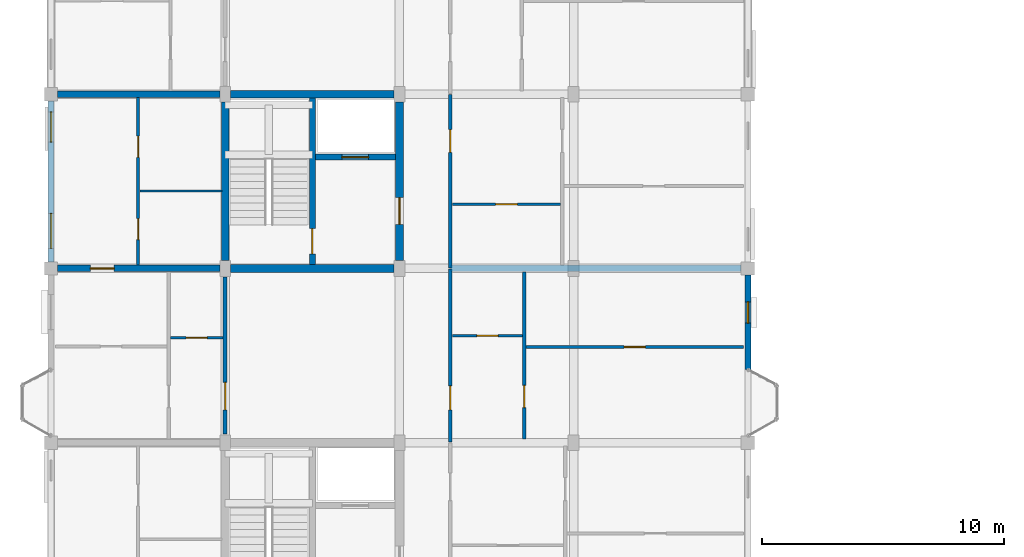
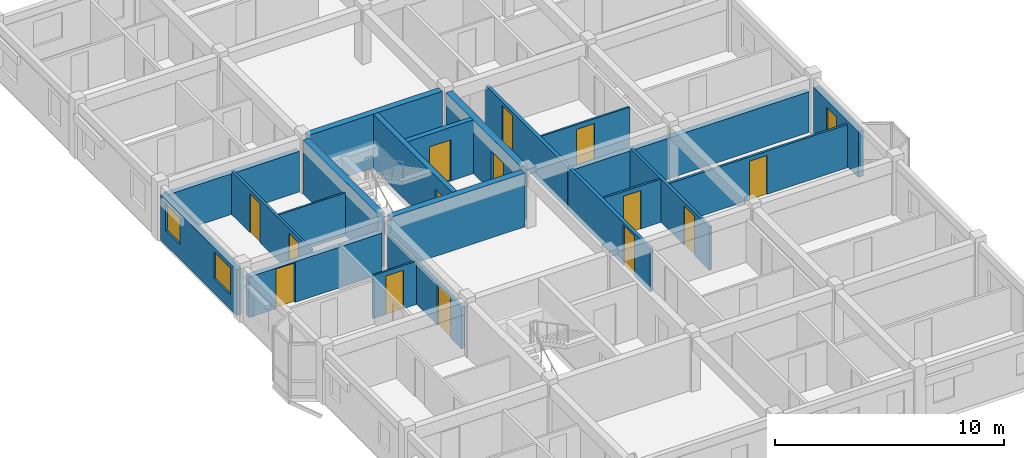
# One storey, part 52 of 77: 21 walls, 14 doors, 3 windows, 17 openings.
"""IFC4 building model written with IfcOpenShell, lengths in metres."""

from ifc_helpers import new_model, si_unit, direction, frame, frame_2d, origin, place, context, subcontext, project, spatial, rectangle, extrude, material, layer, layer_set, type_object, element, fill, save


model = new_model("IFC4")

# Units and contexts
model_context = context("Model", 3, precision=1e-05, world=origin(), true_north=direction((0.0, 1.0)))
body_context = subcontext(model_context, "Body", "Model", "MODEL_VIEW")
ifc_project = project(units=[si_unit("LENGTHUNIT", "METRE"), si_unit("AREAUNIT", "SQUARE_METRE"), si_unit("VOLUMEUNIT", "CUBIC_METRE"), si_unit("PLANEANGLEUNIT", "RADIAN"), si_unit("MASSUNIT", "GRAM", prefix="KILO"), si_unit("THERMODYNAMICTEMPERATUREUNIT", "KELVIN"), si_unit("POWERUNIT", "WATT")], contexts=[model_context])

# Site, building, storey
site_placement = place(None, origin())
site = spatial("IfcSite", under=ifc_project, at=site_placement, CompositionType="ELEMENT")
building_placement = place(site_placement, origin())
building = spatial("IfcBuilding", under=site, at=building_placement, Name="Tavuni Mirador Residences", CompositionType="ELEMENT")
storey_placement = place(building_placement, frame((0.0, 0.0, 10.800048828125)))
storey = spatial("IfcBuildingStorey", under=building, at=storey_placement, Name="L03", CompositionType="ELEMENT", Elevation=10.800048828125)

# Wall, opening, door
ifc_material_1 = material(Name="Precast concrete C40/50", Category="concrete")
ifc_layer_1 = layer(ifc_material_1, 0.25, Name="Precast concrete C40/50", Category="concrete")
ifc_layer_set_1 = layer_set([ifc_layer_1], Name="Precast concrete C40/50")
wall_type_1 = type_object("IfcWallType", Name="WT-COR250", PredefinedType="SHEAR", material=ifc_layer_set_1)
wall_1_placement = place(storey_placement, frame((14.39990234375, 28.9599609375, 0.0), z_axis=(0.0, 0.0, 1.0), x_axis=(0.0, 1.0, 0.0)))
wall_1 = element("IfcWall", 1, at=wall_1_placement, inside=storey, type_object=wall_type_1, Name="CWALL-C2-L03-MID", PredefinedType="SHEAR", context=body_context, shape_type="SweptSolid", body=[
    extrude(rectangle(XDim=6.880126953125, YDim=0.25, at=frame_2d((3.43994140625, 0.0))), origin(), (0.0, 0.0, 1.0), 2.869873046875),
])
opening_1_placement = place(wall_1_placement, frame((0.43994140625, 0.0, 0.0)))
opening_1 = element("IfcOpeningElement", 2, at=opening_1_placement, cuts=wall_1, Name="Opening D-01", PredefinedType="OPENING", context=body_context, shape_type="SweptSolid", body=[
    extrude(rectangle(XDim=1.050048828125, YDim=2.14990234375, at=frame_2d((0.52490234375, 1.074951171875))), frame((0.0, 0.135009765625, 0.0), z_axis=(0.0, -1.0, 0.0), x_axis=(1.0, 0.0, 0.0)), (0.0, 0.0, 1.0), 0.27001953125),
])
ifc_material_2 = material(Name="Solid core iroko timber", Category="wood")
door_type_1 = type_object("IfcDoorType", Name="DT-ST1050", OperationType="NOTDEFINED", PredefinedType="DOOR", material=ifc_material_2)
door_1_placement = place(opening_1_placement, origin())
door_1 = element("IfcDoor", 3, at=door_1_placement, inside=storey, type_object=door_type_1, Name="DR-2069", OperationType="SINGLE_SWING_LEFT", OverallHeight=2.14990234375, OverallWidth=1.050048828125, PredefinedType="DOOR", context=body_context, shape_type="SweptSolid", body=[
    extrude(rectangle(XDim=1.050048828125, YDim=2.14990234375, at=frame_2d((0.52490234375, 1.074951171875))), frame((0.0, 0.02490234375, 0.0), z_axis=(0.0, -1.0, 0.0), x_axis=(1.0, 0.0, 0.0)), (0.0, 0.0, 1.0), 0.050048828125),
])
fill(opening_1, door_1)

wall_2_placement = place(storey_placement, frame((14.52490234375, 33.39990234375, 0.0), z_axis=(0.0, 0.0, 1.0), x_axis=(1.0, 0.0, 0.0)))
wall_2 = element("IfcWall", 4, at=wall_2_placement, inside=storey, type_object=wall_type_1, Name="CWALL-C2-L03-SHF", PredefinedType="SHEAR", context=body_context, shape_type="SweptSolid", body=[
    extrude(rectangle(XDim=3.315185546875, YDim=0.25, at=frame_2d((1.65771484375, 0.0))), origin(), (0.0, 0.0, 1.0), 2.869873046875),
])
opening_2_placement = place(wall_2_placement, frame((1.10009765625, 0.0, 0.0)))
opening_2 = element("IfcOpeningElement", 5, at=opening_2_placement, cuts=wall_2, Name="Opening LD-01", PredefinedType="OPENING", context=body_context, shape_type="SweptSolid", body=[
    extrude(rectangle(XDim=1.10009765625, YDim=2.199951171875, at=frame_2d((0.550048828125, 1.10009765625))), frame((0.0, 0.135009765625, 0.0), z_axis=(0.0, -1.0, 0.0), x_axis=(1.0, 0.0, 0.0)), (0.0, 0.0, 1.0), 0.27001953125),
])
ifc_material_3 = material(Name="Structural steel S355", Category="steel")
door_type_2 = type_object("IfcDoorType", Name="DT-LD-FF", OperationType="SLIDING_TO_LEFT", PredefinedType="DOOR", material=ifc_material_3)
door_2_placement = place(opening_2_placement, origin())
door_2 = element("IfcDoor", 6, at=door_2_placement, inside=storey, type_object=door_type_2, Name="Lift landing door FL-A2 L03", OperationType="SLIDING_TO_LEFT", OverallHeight=2.199951171875, OverallWidth=1.10009765625, PredefinedType="DOOR", context=body_context, shape_type="SweptSolid", body=[
    extrude(rectangle(XDim=1.10009765625, YDim=2.199951171875, at=frame_2d((0.550048828125, 1.10009765625))), frame((0.0, 0.02490234375, 0.0), z_axis=(0.0, -1.0, 0.0), x_axis=(1.0, 0.0, 0.0)), (0.0, 0.0, 1.0), 0.050048828125),
])
fill(opening_2, door_2)

# Walls
ifc_layer_2 = layer(ifc_material_1, 0.320068359375, Name="Precast concrete C40/50", Category="concrete")
ifc_layer_set_2 = layer_set([ifc_layer_2], Name="Precast concrete C40/50")
wall_type_2 = type_object("IfcWallType", Name="WT-COR320", PredefinedType="SHEAR", material=ifc_layer_set_2)
wall_3_placement = place(storey_placement, frame((10.800048828125, 29.125, 0.0), z_axis=(0.0, 0.0, 1.0), x_axis=(0.0, 1.0, 0.0)))
element("IfcWall", 7, at=wall_3_placement, inside=storey, type_object=wall_type_2, Name="CWALL-C2-L03-W", PredefinedType="SHEAR", context=body_context, shape_type="SweptSolid", body=[
    extrude(rectangle(XDim=6.550048828125, YDim=0.320068359375, at=frame_2d((3.27490234375, 0.0))), origin(), (0.0, 0.0, 1.0), 2.869873046875),
])
wall_4_placement = place(storey_placement, frame((11.02490234375, 36.0, 0.0), z_axis=(0.0, 0.0, 1.0), x_axis=(1.0, 0.0, 0.0)))
element("IfcWall", 8, at=wall_4_placement, inside=storey, type_object=wall_type_2, Name="CWALL-C2-L03-N", PredefinedType="SHEAR", context=body_context, shape_type="SweptSolid", body=[
    extrude(rectangle(XDim=6.75, YDim=0.320068359375, at=frame_2d((3.375, 0.0))), origin(), (0.0, 0.0, 1.0), 2.869873046875),
])

# Wall, opening, door
wall_5_placement = place(storey_placement, frame((18.0, 29.125, 0.0), z_axis=(0.0, 0.0, 1.0), x_axis=(0.0, 1.0, 0.0)))
wall_5 = element("IfcWall", 9, at=wall_5_placement, inside=storey, type_object=wall_type_2, Name="CWALL-C2-L03-E", PredefinedType="SHEAR", context=body_context, shape_type="SweptSolid", body=[
    extrude(rectangle(XDim=6.550048828125, YDim=0.320068359375, at=frame_2d((3.27490234375, 0.0))), origin(), (0.0, 0.0, 1.0), 2.869873046875),
])
opening_3_placement = place(wall_5_placement, frame((1.5, 0.0, 0.0)))
opening_3 = element("IfcOpeningElement", 10, at=opening_3_placement, cuts=wall_5, Name="Opening D-02", PredefinedType="OPENING", context=body_context, shape_type="SweptSolid", body=[
    extrude(rectangle(XDim=1.10009765625, YDim=2.14990234375, at=frame_2d((0.550048828125, 1.074951171875))), frame((0.0, 0.169921875, 0.0), z_axis=(0.0, -1.0, 0.0), x_axis=(1.0, 0.0, 0.0)), (0.0, 0.0, 1.0), 0.340087890625),
])
door_type_3 = type_object("IfcDoorType", Name="DT-LOB1100", OperationType="NOTDEFINED", PredefinedType="DOOR", material=ifc_material_2)
door_3_placement = place(opening_3_placement, frame((1.10009765625, 0.0, 0.0), z_axis=(0.0, 0.0, 1.0), x_axis=(-1.0, 0.0, 0.0)))
door_3 = element("IfcDoor", 11, at=door_3_placement, inside=storey, type_object=door_type_3, Name="DR-2068", OperationType="SINGLE_SWING_LEFT", OverallHeight=2.14990234375, OverallWidth=1.10009765625, PredefinedType="DOOR", context=body_context, shape_type="SweptSolid", body=[
    extrude(rectangle(XDim=1.10009765625, YDim=2.14990234375, at=frame_2d((0.550048828125, 1.074951171875))), frame((0.0, 0.02490234375, 0.0), z_axis=(0.0, -1.0, 0.0), x_axis=(1.0, 0.0, 0.0)), (0.0, 0.0, 1.0), 0.050048828125),
])
fill(opening_3, door_3)

# Wall
wall_6_placement = place(storey_placement, frame((11.02490234375, 28.800048828125, 0.0), z_axis=(0.0, 0.0, 1.0), x_axis=(1.0, 0.0, 0.0)))
element("IfcWall", 12, at=wall_6_placement, inside=storey, type_object=wall_type_2, Name="CWALL-C2-L03-SS", PredefinedType="SHEAR", context=body_context, shape_type="SweptSolid", body=[
    extrude(rectangle(XDim=6.75, YDim=0.320068359375, at=frame_2d((3.375, 0.0))), origin(), (0.0, 0.0, 1.0), 2.869873046875),
])

# Wall, opening, door
ifc_layer_3 = layer(ifc_material_1, 0.1650390625, Name="Precast concrete C40/50", Category="concrete")
ifc_layer_set_3 = layer_set([ifc_layer_3], Name="Precast concrete C40/50")
wall_type_3 = type_object("IfcWallType", Name="WT-CORR165", PredefinedType="PARTITIONING", material=ifc_layer_set_3)
wall_7_placement = place(storey_placement, frame((20.10009765625, 21.6201171875, 0.0), z_axis=(0.0, 0.0, 1.0), x_axis=(0.0, 1.0, 0.0)))
wall_7 = element("IfcWall", 13, at=wall_7_placement, inside=storey, type_object=wall_type_3, Name="CORW-BLK-A-L03-0-02", PredefinedType="PARTITIONING", context=body_context, shape_type="SweptSolid", body=[
    extrude(rectangle(XDim=7.159912109375, YDim=0.1650390625, at=frame_2d((3.580078125, 0.0))), origin(), (0.0, 0.0, 1.0), 2.304931640625),
])
opening_4_placement = place(wall_7_placement, frame((1.330078125, 0.0, 0.0)))
opening_4 = element("IfcOpeningElement", 14, at=opening_4_placement, cuts=wall_7, Name="Opening D-03", PredefinedType="OPENING", context=body_context, shape_type="SweptSolid", body=[
    extrude(rectangle(XDim=1.0, YDim=2.14990234375, at=frame_2d((0.5, 1.074951171875))), frame((0.0, 0.092529296875, 0.0), z_axis=(0.0, -1.0, 0.0), x_axis=(1.0, 0.0, 0.0)), (0.0, 0.0, 1.0), 0.18505859375),
])
door_type_4 = type_object("IfcDoorType", Name="DT-FD60-1000", OperationType="NOTDEFINED", PredefinedType="DOOR", material=ifc_material_2)
door_4_placement = place(opening_4_placement, origin())
door_4 = element("IfcDoor", 15, at=door_4_placement, inside=storey, type_object=door_type_4, Name="DR-2415", OperationType="SINGLE_SWING_RIGHT", OverallHeight=2.14990234375, OverallWidth=1.0, PredefinedType="DOOR", context=body_context, shape_type="SweptSolid", body=[
    extrude(rectangle(XDim=1.0, YDim=2.14990234375, at=frame_2d((0.5, 1.074951171875))), frame((0.0, 0.02490234375, 0.0), z_axis=(0.0, -1.0, 0.0), x_axis=(1.0, 0.0, 0.0)), (0.0, 0.0, 1.0), 0.050048828125),
])
fill(opening_4, door_4)

wall_8_placement = place(storey_placement, frame((20.10009765625, 28.820068359375, 0.0), z_axis=(0.0, 0.0, 1.0), x_axis=(0.0, 1.0, 0.0)))
wall_8 = element("IfcWall", 16, at=wall_8_placement, inside=storey, type_object=wall_type_3, Name="CORW-BLK-A-L03-0-03", PredefinedType="PARTITIONING", context=body_context, shape_type="SweptSolid", body=[
    extrude(rectangle(XDim=7.159912109375, YDim=0.1650390625, at=frame_2d((3.580078125, 0.0))), origin(), (0.0, 0.0, 1.0), 2.304931640625),
])
opening_5_placement = place(wall_8_placement, frame((4.780029296875, 0.0, 0.0)))
opening_5 = element("IfcOpeningElement", 17, at=opening_5_placement, cuts=wall_8, Name="Opening D-19", PredefinedType="OPENING", context=body_context, shape_type="SweptSolid", body=[
    extrude(rectangle(XDim=0.93994140625, YDim=2.1201171875, at=frame_2d((0.469970703125, 1.06005859375))), frame((0.0, 0.092529296875, 0.0), z_axis=(0.0, -1.0, 0.0), x_axis=(1.0, 0.0, 0.0)), (0.0, 0.0, 1.0), 0.18505859375),
])
door_type_5 = type_object("IfcDoorType", Name="DT-FD60-940", OperationType="NOTDEFINED", PredefinedType="DOOR", material=ifc_material_2)
door_5_placement = place(opening_5_placement, origin())
door_5 = element("IfcDoor", 18, at=door_5_placement, inside=storey, type_object=door_type_5, Name="DR-2416", OperationType="SINGLE_SWING_LEFT", OverallHeight=2.1201171875, OverallWidth=0.93994140625, PredefinedType="DOOR", context=body_context, shape_type="SweptSolid", body=[
    extrude(rectangle(XDim=0.93994140625, YDim=2.1201171875, at=frame_2d((0.469970703125, 1.06005859375))), frame((0.0, 0.02490234375, 0.0), z_axis=(0.0, -1.0, 0.0), x_axis=(1.0, 0.0, 0.0)), (0.0, 0.0, 1.0), 0.050048828125),
])
fill(opening_5, door_5)

wall_9_placement = place(storey_placement, frame((10.800048828125, 21.949951171875, 0.0), z_axis=(0.0, 0.0, 1.0), x_axis=(0.0, 1.0, 0.0)))
wall_9 = element("IfcWall", 19, at=wall_9_placement, inside=storey, type_object=wall_type_3, Name="CORW-BLK-A-L03-1-02", PredefinedType="PARTITIONING", context=body_context, shape_type="SweptSolid", body=[
    extrude(rectangle(XDim=6.5, YDim=0.1650390625, at=frame_2d((3.25, 0.0))), origin(), (0.0, 0.0, 1.0), 2.219970703125),
])
opening_6_placement = place(wall_9_placement, frame((1.0, 0.0, 0.0)))
opening_6 = element("IfcOpeningElement", 20, at=opening_6_placement, cuts=wall_9, Name="Opening D-20", PredefinedType="OPENING", context=body_context, shape_type="SweptSolid", body=[
    extrude(rectangle(XDim=1.139892578125, YDim=2.179931640625, at=frame_2d((0.56982421875, 1.08984375))), frame((0.0, 0.092529296875, 0.0), z_axis=(0.0, -1.0, 0.0), x_axis=(1.0, 0.0, 0.0)), (0.0, 0.0, 1.0), 0.18505859375),
])
door_type_6 = type_object("IfcDoorType", Name="DT-FD60-1140", OperationType="NOTDEFINED", PredefinedType="DOOR", material=ifc_material_2)
door_6_placement = place(opening_6_placement, origin())
door_6 = element("IfcDoor", 21, at=door_6_placement, inside=storey, type_object=door_type_6, Name="DR-2420", OperationType="SINGLE_SWING_LEFT", OverallHeight=2.179931640625, OverallWidth=1.139892578125, PredefinedType="DOOR", context=body_context, shape_type="SweptSolid", body=[
    extrude(rectangle(XDim=1.139892578125, YDim=2.179931640625, at=frame_2d((0.56982421875, 1.08984375))), frame((0.0, 0.02490234375, 0.0), z_axis=(0.0, -1.0, 0.0), x_axis=(1.0, 0.0, 0.0)), (0.0, 0.0, 1.0), 0.050048828125),
])
fill(opening_6, door_6)

# Wall, openings, windows
ifc_material_4 = material(Name="Sgraffito lime-rendered precast concrete C40/50", Category="concrete")
ifc_layer_4 = layer(ifc_material_4, 0.2451171875, Name="Sgraffito lime-rendered precast concrete C40/50", Category="concrete")
ifc_layer_set_4 = layer_set([ifc_layer_4], Name="Sgraffito lime-rendered precast concrete C40/50")
wall_type_4 = type_object("IfcWallType", Name="WT-EXT-PC245", PredefinedType="SOLIDWALL", material=ifc_layer_set_4)
wall_10_placement = place(storey_placement, frame((3.60009765625, 35.72509765625, 0.0), z_axis=(0.0, 0.0, 1.0), x_axis=(0.0, -1.0, 0.0)))
wall_10 = element("IfcWall", 22, at=wall_10_placement, inside=storey, type_object=wall_type_4, Name="EW-BLK-A-L03-W03", PredefinedType="SOLIDWALL", context=body_context, shape_type="SweptSolid", body=[
    extrude(rectangle(XDim=6.650146484375, YDim=0.2451171875, at=frame_2d((3.3251953125, 0.0))), origin(), (0.0, 0.0, 1.0), 2.43994140625),
])
opening_7_placement = place(wall_10_placement, frame((0.449951171875, 0.0, 0.780029296875)))
opening_7 = element("IfcOpeningElement", 23, at=opening_7_placement, cuts=wall_10, Name="Opening WN-28", PredefinedType="OPENING", context=body_context, shape_type="SweptSolid", body=[
    extrude(rectangle(XDim=1.25, YDim=1.43994140625, at=frame_2d((0.625, 0.719970703125))), frame((0.0, 0.132568359375, 0.0), z_axis=(0.0, -1.0, 0.0), x_axis=(1.0, 0.0, 0.0)), (0.0, 0.0, 1.0), 0.26513671875),
])
opening_8_placement = place(wall_10_placement, frame((4.64990234375, 0.0, 0.780029296875)))
opening_8 = element("IfcOpeningElement", 24, at=opening_8_placement, cuts=wall_10, Name="Opening WN-30", PredefinedType="OPENING", context=body_context, shape_type="SweptSolid", body=[
    extrude(rectangle(XDim=1.449951171875, YDim=1.43994140625, at=frame_2d((0.72509765625, 0.719970703125))), frame((0.0, 0.132568359375, 0.0), z_axis=(0.0, -1.0, 0.0), x_axis=(1.0, 0.0, 0.0)), (0.0, 0.0, 1.0), 0.26513671875),
])
ifc_material_5 = material(Name="Laminated solar-control glass", Category="glass")
window_type_1 = type_object("IfcWindowType", Name="WNT-28", PartitioningType="SINGLE_PANEL", PredefinedType="WINDOW", material=ifc_material_5)
window_1_placement = place(opening_7_placement, origin())
window_1 = element("IfcWindow", 25, at=window_1_placement, inside=storey, type_object=window_type_1, Name="WIN-0144", OverallHeight=1.43994140625, OverallWidth=1.25, PartitioningType="SINGLE_PANEL", PredefinedType="WINDOW", context=body_context, shape_type="SweptSolid", body=[
    extrude(rectangle(XDim=1.25, YDim=1.43994140625, at=frame_2d((0.625, 0.719970703125))), frame((0.0, 0.030029296875, 0.0), z_axis=(0.0, -1.0, 0.0), x_axis=(1.0, 0.0, 0.0)), (0.0, 0.0, 1.0), 0.06005859375),
])
fill(opening_7, window_1)
window_type_2 = type_object("IfcWindowType", Name="WNT-30", PartitioningType="SINGLE_PANEL", PredefinedType="WINDOW", material=ifc_material_5)
window_2_placement = place(opening_8_placement, origin())
window_2 = element("IfcWindow", 26, at=window_2_placement, inside=storey, type_object=window_type_2, Name="WIN-0145", OverallHeight=1.43994140625, OverallWidth=1.449951171875, PartitioningType="SINGLE_PANEL", PredefinedType="WINDOW", context=body_context, shape_type="SweptSolid", body=[
    extrude(rectangle(XDim=1.449951171875, YDim=1.43994140625, at=frame_2d((0.72509765625, 0.719970703125))), frame((0.0, 0.030029296875, 0.0), z_axis=(0.0, -1.0, 0.0), x_axis=(1.0, 0.0, 0.0)), (0.0, 0.0, 1.0), 0.06005859375),
])
fill(opening_8, window_2)

# Wall, opening, window
ifc_layer_5 = layer(ifc_material_4, 0.2548828125, Name="Sgraffito lime-rendered precast concrete C40/50", Category="concrete")
ifc_layer_set_5 = layer_set([ifc_layer_5], Name="Sgraffito lime-rendered precast concrete C40/50")
wall_type_5 = type_object("IfcWallType", Name="WT-EXT-PC255", PredefinedType="SOLIDWALL", material=ifc_layer_set_5)
wall_11_placement = place(storey_placement, frame((32.39990234375, 24.6201171875, 0.0), z_axis=(0.0, 0.0, 1.0), x_axis=(0.0, 1.0, 0.0)))
wall_11 = element("IfcWall", 27, at=wall_11_placement, inside=storey, type_object=wall_type_5, Name="EW-BLK-A-L03-E02", PredefinedType="SOLIDWALL", context=body_context, shape_type="SweptSolid", body=[
    extrude(rectangle(XDim=3.90478515625, YDim=0.2548828125, at=frame_2d((1.952392578125, 0.0))), origin(), (0.0, 0.0, 1.0), 2.43994140625),
])
opening_9_placement = place(wall_11_placement, frame((1.922607421875, 0.0, 0.780029296875)))
opening_9 = element("IfcOpeningElement", 28, at=opening_9_placement, cuts=wall_11, Name="Opening WN-09", PredefinedType="OPENING", context=body_context, shape_type="SweptSolid", body=[
    extrude(rectangle(XDim=0.8798828125, YDim=1.260009765625, at=frame_2d((0.43994140625, 0.6298828125))), frame((0.0, 0.137451171875, 0.0), z_axis=(0.0, -1.0, 0.0), x_axis=(1.0, 0.0, 0.0)), (0.0, 0.0, 1.0), 0.27490234375),
])
window_type_3 = type_object("IfcWindowType", Name="WNT-09", PartitioningType="SINGLE_PANEL", PredefinedType="WINDOW", material=ifc_material_5)
window_3_placement = place(opening_9_placement, origin())
window_3 = element("IfcWindow", 29, at=window_3_placement, inside=storey, type_object=window_type_3, Name="WIN-0125", OverallHeight=1.260009765625, OverallWidth=0.8798828125, PartitioningType="SINGLE_PANEL", PredefinedType="WINDOW", context=body_context, shape_type="SweptSolid", body=[
    extrude(rectangle(XDim=0.8798828125, YDim=1.260009765625, at=frame_2d((0.43994140625, 0.6298828125))), frame((0.0, 0.030029296875, 0.0), z_axis=(0.0, -1.0, 0.0), x_axis=(1.0, 0.0, 0.0)), (0.0, 0.0, 1.0), 0.06005859375),
])
fill(opening_9, window_3)

# Wall, opening, door
ifc_material_6 = material(Name="Acoustic gypsum and concrete block partition", Category="concrete")
ifc_layer_6 = layer(ifc_material_6, 0.094970703125, Name="Acoustic gypsum and concrete block partition", Category="concrete")
ifc_layer_set_6 = layer_set([ifc_layer_6], Name="Acoustic gypsum and concrete block partition")
wall_type_6 = type_object("IfcWallType", Name="WT-PART095", PredefinedType="PARTITIONING", material=ifc_layer_set_6)
wall_12_placement = place(storey_placement, frame((8.530029296875, 25.93994140625, 0.0), z_axis=(0.0, 0.0, 1.0), x_axis=(1.0, 0.0, 0.0)))
wall_12 = element("IfcWall", 30, at=wall_12_placement, inside=storey, type_object=wall_type_6, Name="PW-BLK-A-L03-W02-IN1", PredefinedType="PARTITIONING", context=body_context, shape_type="SweptSolid", body=[
    extrude(rectangle(XDim=2.179931640625, YDim=0.094970703125, at=frame_2d((1.08984375, 0.0))), origin(), (0.0, 0.0, 1.0), 2.304931640625),
])
opening_10_placement = place(wall_12_placement, frame((0.655029296875, 0.0, 0.0)))
opening_10 = element("IfcOpeningElement", 31, at=opening_10_placement, cuts=wall_12, Name="Opening D-10", PredefinedType="OPENING", context=body_context, shape_type="SweptSolid", body=[
    extrude(rectangle(XDim=0.8701171875, YDim=2.050048828125, at=frame_2d((0.43505859375, 1.02490234375))), frame((0.0, 0.0576171875, 0.0), z_axis=(0.0, -1.0, 0.0), x_axis=(1.0, 0.0, 0.0)), (0.0, 0.0, 1.0), 0.114990234375),
])
door_type_7 = type_object("IfcDoorType", Name="DT-WC870", OperationType="NOTDEFINED", PredefinedType="DOOR", material=ifc_material_2)
door_7_placement = place(opening_10_placement, origin())
door_7 = element("IfcDoor", 32, at=door_7_placement, inside=storey, type_object=door_type_7, Name="DR-3039", OperationType="SINGLE_SWING_LEFT", OverallHeight=2.050048828125, OverallWidth=0.8701171875, PredefinedType="DOOR", context=body_context, shape_type="SweptSolid", body=[
    extrude(rectangle(XDim=0.8701171875, YDim=2.050048828125, at=frame_2d((0.43505859375, 1.02490234375))), frame((0.0, 0.02490234375, 0.0), z_axis=(0.0, -1.0, 0.0), x_axis=(1.0, 0.0, 0.0)), (0.0, 0.0, 1.0), 0.050048828125),
])
fill(opening_10, door_7)

# Wall
wall_13_placement = place(storey_placement, frame((7.27001953125, 32.0, 0.0), z_axis=(0.0, 0.0, 1.0), x_axis=(1.0, 0.0, 0.0)))
element("IfcWall", 33, at=wall_13_placement, inside=storey, type_object=wall_type_6, Name="PW-BLK-A-L03-WC03-H", PredefinedType="PARTITIONING", context=body_context, shape_type="SweptSolid", body=[
    extrude(rectangle(XDim=3.389892578125, YDim=0.094970703125, at=frame_2d((1.69482421875, 0.0))), origin(), (0.0, 0.0, 1.0), 2.304931640625),
])

# Wall, opening, door
wall_14_placement = place(storey_placement, frame((20.18994140625, 31.449951171875, 0.0), z_axis=(0.0, 0.0, 1.0), x_axis=(1.0, 0.0, 0.0)))
wall_14 = element("IfcWall", 34, at=wall_14_placement, inside=storey, type_object=wall_type_6, Name="PW-BLK-A-L03-E03-IN1", PredefinedType="PARTITIONING", context=body_context, shape_type="SweptSolid", body=[
    extrude(rectangle(XDim=4.469970703125, YDim=0.094970703125, at=frame_2d((2.23486328125, 0.0))), origin(), (0.0, 0.0, 1.0), 2.304931640625),
])
opening_11_placement = place(wall_14_placement, frame((1.784912109375, 0.0, 0.0)))
opening_11 = element("IfcOpeningElement", 35, at=opening_11_placement, cuts=wall_14, Name="Opening D-09", PredefinedType="OPENING", context=body_context, shape_type="SweptSolid", body=[
    extrude(rectangle(XDim=0.89990234375, YDim=2.050048828125, at=frame_2d((0.449951171875, 1.02490234375))), frame((0.0, 0.0576171875, 0.0), z_axis=(0.0, -1.0, 0.0), x_axis=(1.0, 0.0, 0.0)), (0.0, 0.0, 1.0), 0.114990234375),
])
door_type_8 = type_object("IfcDoorType", Name="DT-WC900", OperationType="NOTDEFINED", PredefinedType="DOOR", material=ifc_material_2)
door_8_placement = place(opening_11_placement, origin())
door_8 = element("IfcDoor", 36, at=door_8_placement, inside=storey, type_object=door_type_8, Name="DR-3047", OperationType="SINGLE_SWING_RIGHT", OverallHeight=2.050048828125, OverallWidth=0.89990234375, PredefinedType="DOOR", context=body_context, shape_type="SweptSolid", body=[
    extrude(rectangle(XDim=0.89990234375, YDim=2.050048828125, at=frame_2d((0.449951171875, 1.02490234375))), frame((0.0, 0.02490234375, 0.0), z_axis=(0.0, -1.0, 0.0), x_axis=(1.0, 0.0, 0.0)), (0.0, 0.0, 1.0), 0.050048828125),
])
fill(opening_11, door_8)

ifc_layer_7 = layer(ifc_material_6, 0.10498046875, Name="Acoustic gypsum and concrete block partition", Category="concrete")
ifc_layer_set_7 = layer_set([ifc_layer_7], Name="Acoustic gypsum and concrete block partition")
wall_type_7 = type_object("IfcWallType", Name="WT-PART105", PredefinedType="PARTITIONING", material=ifc_layer_set_7)
wall_15_placement = place(storey_placement, frame((20.18994140625, 26.02001953125, 0.0), z_axis=(0.0, 0.0, 1.0), x_axis=(1.0, 0.0, 0.0)))
wall_15 = element("IfcWall", 37, at=wall_15_placement, inside=storey, type_object=wall_type_7, Name="PW-BLK-A-L03-E02-IN1", PredefinedType="PARTITIONING", context=body_context, shape_type="SweptSolid", body=[
    extrude(rectangle(XDim=2.900146484375, YDim=0.10498046875, at=frame_2d((1.4501953125, 0.0))), origin(), (0.0, 0.0, 1.0), 2.304931640625),
])
opening_12_placement = place(wall_15_placement, frame((1.014892578125, 0.0, 0.0)))
opening_12 = element("IfcOpeningElement", 38, at=opening_12_placement, cuts=wall_15, Name="Opening D-10", PredefinedType="OPENING", context=body_context, shape_type="SweptSolid", body=[
    extrude(rectangle(XDim=0.8701171875, YDim=2.050048828125, at=frame_2d((0.43505859375, 1.02490234375))), frame((0.0, 0.0625, 0.0), z_axis=(0.0, -1.0, 0.0), x_axis=(1.0, 0.0, 0.0)), (0.0, 0.0, 1.0), 0.125),
])
door_9_placement = place(opening_12_placement, origin())
door_9 = element("IfcDoor", 39, at=door_9_placement, inside=storey, type_object=door_type_7, Name="DR-3042", OperationType="SINGLE_SWING_LEFT", OverallHeight=2.050048828125, OverallWidth=0.8701171875, PredefinedType="DOOR", context=body_context, shape_type="SweptSolid", body=[
    extrude(rectangle(XDim=0.8701171875, YDim=2.050048828125, at=frame_2d((0.43505859375, 1.02490234375))), frame((0.0, 0.02490234375, 0.0), z_axis=(0.0, -1.0, 0.0), x_axis=(1.0, 0.0, 0.0)), (0.0, 0.0, 1.0), 0.050048828125),
])
fill(opening_12, door_9)

ifc_layer_8 = layer(ifc_material_6, 0.114990234375, Name="Acoustic gypsum and concrete block partition", Category="concrete")
ifc_layer_set_8 = layer_set([ifc_layer_8], Name="Acoustic gypsum and concrete block partition")
wall_type_8 = type_object("IfcWallType", Name="WT-PART115", PredefinedType="PARTITIONING", material=ifc_layer_set_8)
wall_16_placement = place(storey_placement, frame((23.22998046875, 25.550048828125, 0.0), z_axis=(0.0, 0.0, 1.0), x_axis=(1.0, 0.0, 0.0)))
wall_16 = element("IfcWall", 40, at=wall_16_placement, inside=storey, type_object=wall_type_8, Name="PW-BLK-A-L03-E02-OUT", PredefinedType="PARTITIONING", context=body_context, shape_type="SweptSolid", body=[
    extrude(rectangle(XDim=8.9951171875, YDim=0.114990234375, at=frame_2d((4.49755859375, 0.0))), origin(), (0.0, 0.0, 1.0), 2.304931640625),
])
opening_13_placement = place(wall_16_placement, frame((4.0576171875, 0.0, 0.0)))
opening_13 = element("IfcOpeningElement", 41, at=opening_13_placement, cuts=wall_16, Name="Opening D-08", PredefinedType="OPENING", context=body_context, shape_type="SweptSolid", body=[
    extrude(rectangle(XDim=0.8798828125, YDim=2.080078125, at=frame_2d((0.43994140625, 1.0400390625))), frame((0.0, 0.0673828125, 0.0), z_axis=(0.0, -1.0, 0.0), x_axis=(1.0, 0.0, 0.0)), (0.0, 0.0, 1.0), 0.135009765625),
])
door_type_9 = type_object("IfcDoorType", Name="DT-BED880", OperationType="NOTDEFINED", PredefinedType="DOOR", material=ifc_material_2)
door_10_placement = place(opening_13_placement, origin())
door_10 = element("IfcDoor", 42, at=door_10_placement, inside=storey, type_object=door_type_9, Name="DR-3041", OperationType="SINGLE_SWING_RIGHT", OverallHeight=2.080078125, OverallWidth=0.8798828125, PredefinedType="DOOR", context=body_context, shape_type="SweptSolid", body=[
    extrude(rectangle(XDim=0.8798828125, YDim=2.080078125, at=frame_2d((0.43994140625, 1.0400390625))), frame((0.0, 0.02490234375, 0.0), z_axis=(0.0, -1.0, 0.0), x_axis=(1.0, 0.0, 0.0)), (0.0, 0.0, 1.0), 0.050048828125),
])
fill(opening_13, door_10)

# Wall, openings, doors
ifc_layer_9 = layer(ifc_material_6, 0.125, Name="Acoustic gypsum and concrete block partition", Category="concrete")
ifc_layer_set_9 = layer_set([ifc_layer_9], Name="Acoustic gypsum and concrete block partition")
wall_type_9 = type_object("IfcWallType", Name="WT-PART125", PredefinedType="PARTITIONING", material=ifc_layer_set_9)
wall_17_placement = place(storey_placement, frame((7.199951171875, 28.93994140625, 0.0), z_axis=(0.0, 0.0, 1.0), x_axis=(0.0, 1.0, 0.0)))
wall_17 = element("IfcWall", 43, at=wall_17_placement, inside=storey, type_object=wall_type_9, Name="PW-BLK-A-L03-WC03-M", PredefinedType="PARTITIONING", context=body_context, shape_type="SweptSolid", body=[
    extrude(rectangle(XDim=6.920166015625, YDim=0.125, at=frame_2d((3.4599609375, 0.0))), origin(), (0.0, 0.0, 1.0), 2.304931640625),
])
opening_14_placement = place(wall_17_placement, frame((1.050048828125, 0.0, 0.0)))
opening_14 = element("IfcOpeningElement", 44, at=opening_14_placement, cuts=wall_17, Name="Opening D-10", PredefinedType="OPENING", context=body_context, shape_type="SweptSolid", body=[
    extrude(rectangle(XDim=0.8701171875, YDim=2.050048828125, at=frame_2d((0.43505859375, 1.02490234375))), frame((0.0, 0.072509765625, 0.0), z_axis=(0.0, -1.0, 0.0), x_axis=(1.0, 0.0, 0.0)), (0.0, 0.0, 1.0), 0.14501953125),
])
opening_15_placement = place(wall_17_placement, frame((4.449951171875, 0.0, 0.0)))
opening_15 = element("IfcOpeningElement", 45, at=opening_15_placement, cuts=wall_17, Name="Opening D-08", PredefinedType="OPENING", context=body_context, shape_type="SweptSolid", body=[
    extrude(rectangle(XDim=0.8798828125, YDim=2.080078125, at=frame_2d((0.43994140625, 1.0400390625))), frame((0.0, 0.072509765625, 0.0), z_axis=(0.0, -1.0, 0.0), x_axis=(1.0, 0.0, 0.0)), (0.0, 0.0, 1.0), 0.14501953125),
])
door_11_placement = place(opening_15_placement, origin())
door_11 = element("IfcDoor", 46, at=door_11_placement, inside=storey, type_object=door_type_9, Name="DR-3045", OperationType="SINGLE_SWING_LEFT", OverallHeight=2.080078125, OverallWidth=0.8798828125, PredefinedType="DOOR", context=body_context, shape_type="SweptSolid", body=[
    extrude(rectangle(XDim=0.8798828125, YDim=2.080078125, at=frame_2d((0.43994140625, 1.0400390625))), frame((0.0, 0.02490234375, 0.0), z_axis=(0.0, -1.0, 0.0), x_axis=(1.0, 0.0, 0.0)), (0.0, 0.0, 1.0), 0.050048828125),
])
fill(opening_15, door_11)
door_12_placement = place(opening_14_placement, origin())
door_12 = element("IfcDoor", 47, at=door_12_placement, inside=storey, type_object=door_type_7, Name="DR-3044", OperationType="SINGLE_SWING_RIGHT", OverallHeight=2.050048828125, OverallWidth=0.8701171875, PredefinedType="DOOR", context=body_context, shape_type="SweptSolid", body=[
    extrude(rectangle(XDim=0.8701171875, YDim=2.050048828125, at=frame_2d((0.43505859375, 1.02490234375))), frame((0.0, 0.02490234375, 0.0), z_axis=(0.0, -1.0, 0.0), x_axis=(1.0, 0.0, 0.0)), (0.0, 0.0, 1.0), 0.050048828125),
])
fill(opening_14, door_12)

# Wall, opening, door
ifc_layer_10 = layer(ifc_material_6, 0.139892578125, Name="Acoustic gypsum and concrete block partition", Category="concrete")
ifc_layer_set_10 = layer_set([ifc_layer_10], Name="Acoustic gypsum and concrete block partition")
wall_type_10 = type_object("IfcWallType", Name="WT-PART140", PredefinedType="PARTITIONING", material=ifc_layer_set_10)
wall_18_placement = place(storey_placement, frame((23.159912109375, 21.739990234375, 0.0), z_axis=(0.0, 0.0, 1.0), x_axis=(0.0, 1.0, 0.0)))
wall_18 = element("IfcWall", 48, at=wall_18_placement, inside=storey, type_object=wall_type_10, Name="PW-BLK-A-L03-E02-MID", PredefinedType="PARTITIONING", context=body_context, shape_type="SweptSolid", body=[
    extrude(rectangle(XDim=6.919921875, YDim=0.139892578125, at=frame_2d((3.4599609375, 0.0))), origin(), (0.0, 0.0, 1.0), 2.304931640625),
])
opening_16_placement = place(wall_18_placement, frame((1.31005859375, 0.0, 0.0)))
opening_16 = element("IfcOpeningElement", 49, at=opening_16_placement, cuts=wall_18, Name="Opening D-06", PredefinedType="OPENING", context=body_context, shape_type="SweptSolid", body=[
    extrude(rectangle(XDim=0.919921875, YDim=2.10009765625, at=frame_2d((0.4599609375, 1.050048828125))), frame((0.0, 0.080078125, 0.0), z_axis=(0.0, -1.0, 0.0), x_axis=(1.0, 0.0, 0.0)), (0.0, 0.0, 1.0), 0.159912109375),
])
door_type_10 = type_object("IfcDoorType", Name="DT-INT920", OperationType="NOTDEFINED", PredefinedType="DOOR", material=ifc_material_2)
door_13_placement = place(opening_16_placement, origin())
door_13 = element("IfcDoor", 50, at=door_13_placement, inside=storey, type_object=door_type_10, Name="DR-3043", OperationType="SINGLE_SWING_RIGHT", OverallHeight=2.10009765625, OverallWidth=0.919921875, PredefinedType="DOOR", context=body_context, shape_type="SweptSolid", body=[
    extrude(rectangle(XDim=0.919921875, YDim=2.10009765625, at=frame_2d((0.4599609375, 1.050048828125))), frame((0.0, 0.02490234375, 0.0), z_axis=(0.0, -1.0, 0.0), x_axis=(1.0, 0.0, 0.0)), (0.0, 0.0, 1.0), 0.050048828125),
])
fill(opening_16, door_13)

ifc_layer_11 = layer(ifc_material_1, 0.264892578125, Name="Precast concrete C40/50", Category="concrete")
ifc_layer_set_11 = layer_set([ifc_layer_11], Name="Precast concrete C40/50")
wall_type_11 = type_object("IfcWallType", Name="WT-XW265", PredefinedType="SOLIDWALL", material=ifc_layer_set_11)
wall_19_placement = place(storey_placement, frame((3.875, 28.800048828125, 0.0), z_axis=(0.0, 0.0, 1.0), x_axis=(1.0, 0.0, 0.0)))
wall_19 = element("IfcWall", 51, at=wall_19_placement, inside=storey, type_object=wall_type_11, Name="XW-BLK-A-L03-W-03", PredefinedType="SOLIDWALL", context=body_context, shape_type="SweptSolid", body=[
    extrude(rectangle(XDim=6.699951171875, YDim=0.264892578125, at=frame_2d((3.35009765625, 0.0))), origin(), (0.0, 0.0, 1.0), 2.169921875),
])
opening_17_placement = place(wall_19_placement, frame((1.35009765625, 0.0, 0.0)))
opening_17 = element("IfcOpeningElement", 52, at=opening_17_placement, cuts=wall_19, Name="Opening D-04", PredefinedType="OPENING", context=body_context, shape_type="SweptSolid", body=[
    extrude(rectangle(XDim=0.97998046875, YDim=2.1201171875, at=frame_2d((0.489990234375, 1.06005859375))), frame((0.0, 0.142578125, 0.0), z_axis=(0.0, -1.0, 0.0), x_axis=(1.0, 0.0, 0.0)), (0.0, 0.0, 1.0), 0.284912109375),
])
door_type_11 = type_object("IfcDoorType", Name="DT-FD60-980", OperationType="NOTDEFINED", PredefinedType="DOOR", material=ifc_material_2)
door_14_placement = place(opening_17_placement, origin())
door_14 = element("IfcDoor", 53, at=door_14_placement, inside=storey, type_object=door_type_11, Name="DR-4681", OperationType="SINGLE_SWING_RIGHT", OverallHeight=2.1201171875, OverallWidth=0.97998046875, PredefinedType="DOOR", context=body_context, shape_type="SweptSolid", body=[
    extrude(rectangle(XDim=0.97998046875, YDim=2.1201171875, at=frame_2d((0.489990234375, 1.06005859375))), frame((0.0, 0.02490234375, 0.0), z_axis=(0.0, -1.0, 0.0), x_axis=(1.0, 0.0, 0.0)), (0.0, 0.0, 1.0), 0.050048828125),
])
fill(opening_17, door_14)

# Walls
wall_20_placement = place(storey_placement, frame((20.10009765625, 28.800048828125, 0.0), z_axis=(0.0, 0.0, 1.0), x_axis=(1.0, 0.0, 0.0)))
element("IfcWall", 54, at=wall_20_placement, inside=storey, type_object=wall_type_11, Name="XW-BLK-A-L03-E-03", PredefinedType="SOLIDWALL", context=body_context, shape_type="SweptSolid", body=[
    extrude(rectangle(XDim=12.02490234375, YDim=0.264892578125, at=frame_2d((6.012451171875, 0.0))), origin(), (0.0, 0.0, 1.0), 2.169921875),
])
wall_21_placement = place(storey_placement, frame((3.875, 36.0, 0.0), z_axis=(0.0, 0.0, 1.0), x_axis=(1.0, 0.0, 0.0)))
element("IfcWall", 55, at=wall_21_placement, inside=storey, type_object=wall_type_11, Name="XW-BLK-A-L03-W-04", PredefinedType="SOLIDWALL", context=body_context, shape_type="SweptSolid", body=[
    extrude(rectangle(XDim=6.699951171875, YDim=0.264892578125, at=frame_2d((3.35009765625, 0.0))), origin(), (0.0, 0.0, 1.0), 2.169921875),
])

save(model, "model.ifc")
